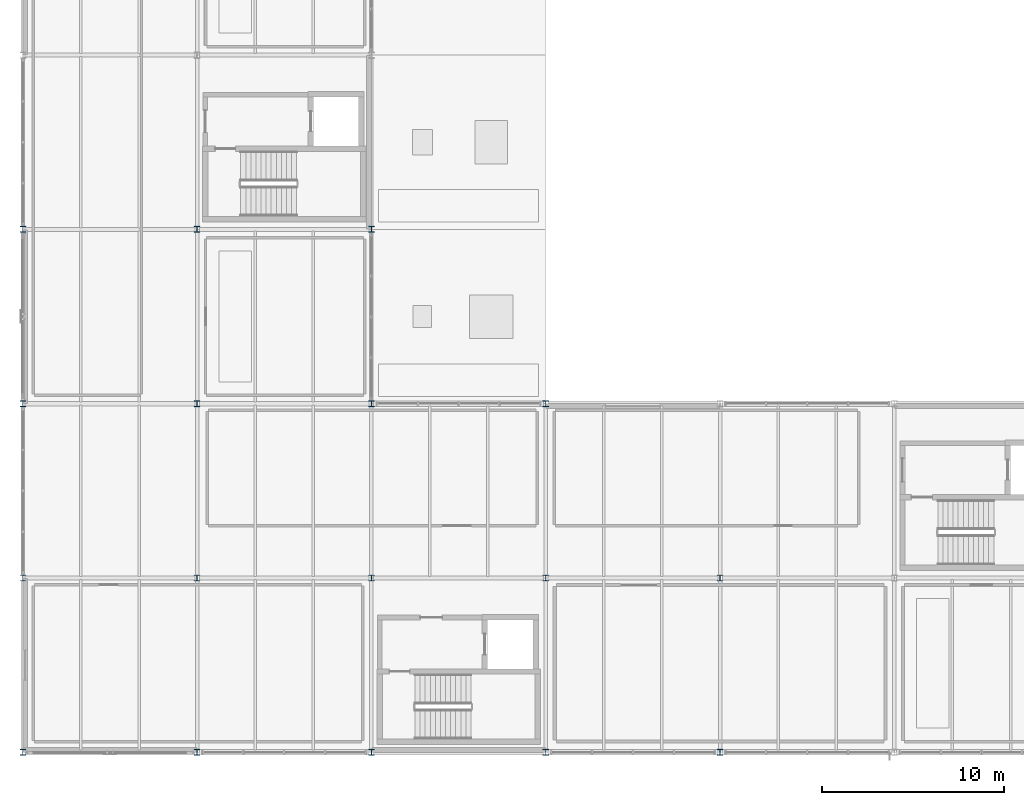
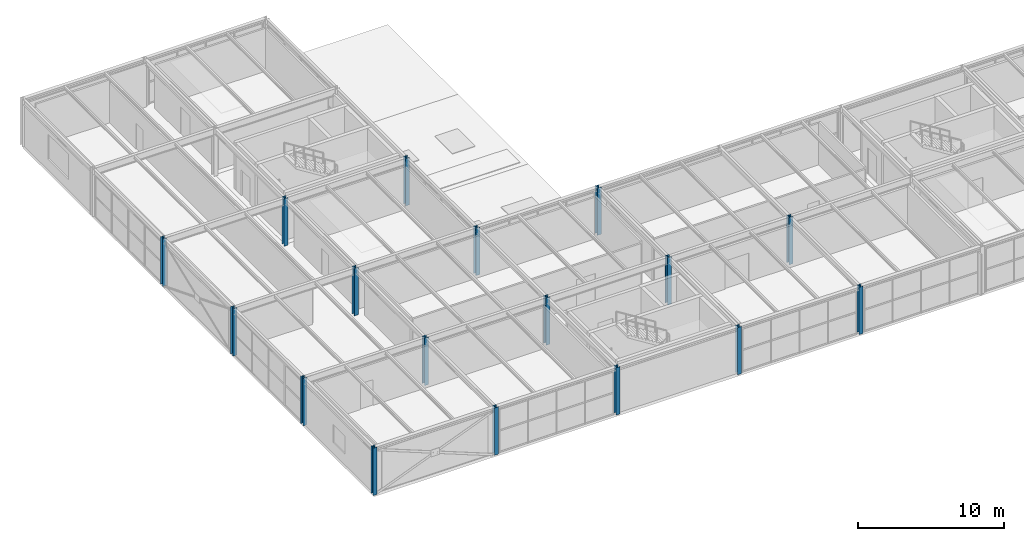
# One storey, part 1 of 50: 17 columns.
"""IFC4 building model written with IfcOpenShell, lengths in metres."""

from ifc_helpers import new_model, si_unit, direction, frame, origin, origin_2d, place, context, subcontext, project, spatial, i_section, extrude, material, material_profile, profile_set, type_object, element, save


model = new_model("IFC4")

# Units and contexts
model_context = context("Model", 3, precision=1e-05, world=origin(), true_north=direction((0.0, 1.0)))
body_context = subcontext(model_context, "Body", "Model", "MODEL_VIEW")
ifc_project = project(units=[si_unit("LENGTHUNIT", "METRE"), si_unit("AREAUNIT", "SQUARE_METRE"), si_unit("VOLUMEUNIT", "CUBIC_METRE"), si_unit("PLANEANGLEUNIT", "RADIAN"), si_unit("MASSUNIT", "GRAM", prefix="KILO")], contexts=[model_context])

# Site, building, storey
site_placement = place(None, origin())
site = spatial("IfcSite", under=ifc_project, at=site_placement, CompositionType="ELEMENT")
building_placement = place(site_placement, origin())
building = spatial("IfcBuilding", under=site, at=building_placement, Name="Coralgate Yard Interchange", CompositionType="ELEMENT")
storey_placement = place(building_placement, frame((0.0, 0.0, 14.699951171875)))
storey = spatial("IfcBuildingStorey", under=building, at=storey_placement, Name="L03", CompositionType="ELEMENT", Elevation=14.699951171875)

# Columns
ifc_material = material(Name="Structural steel S355J2", Category="steel")
ifc_material_profile = material_profile(ifc_material, i_section(OverallWidth=0.311279296875, OverallDepth=0.3271484375, WebThickness=0.015869140625, FlangeThickness=0.02490234375, FilletRadius=0.01513671875, at=origin_2d()), Name="UC 305x305x158")
ifc_profile_set = profile_set([ifc_material_profile], Name="Structural steel S355J2")
column_type = type_object("IfcColumnType", Name="COL-SC-5", PredefinedType="COLUMN", material=ifc_profile_set)
for number, where, z_axis, x_axis, name in (
    (1, (0.0, 0.0, 0.0), (0.0, 0.0, 1.0), (1.0, 0.0, 0.0), "L03 structural column 0-0"),
    (2, (0.0, 9.60009765625, 0.0), (0.0, 0.0, 1.0), (1.0, 0.0, 0.0), "L03 structural column 0-1"),
    (3, (0.0, 19.199951171875, 0.0), (0.0, 0.0, 1.0), (1.0, 0.0, 0.0), "L03 structural column 0-2"),
    (4, (0.0, 28.800048828125, 0.0), (0.0, 0.0, 1.0), (1.0, 0.0, 0.0), "L03 structural column 0-3"),
    (5, (9.60009765625, 0.0, 0.0), (0.0, 0.0, 1.0), (1.0, 0.0, 0.0), "L03 structural column 1-0"),
    (6, (9.60009765625, 9.60009765625, 0.0), (0.0, 0.0, 1.0), (1.0, 0.0, 0.0), "L03 structural column 1-1"),
    (7, (9.60009765625, 19.199951171875, 0.0), (0.0, 0.0, 1.0), (1.0, 0.0, 0.0), "L03 structural column 1-2"),
    (8, (9.60009765625, 28.800048828125, 0.0), (0.0, 0.0, 1.0), (1.0, 0.0, 0.0), "L03 structural column 1-3"),
    (9, (19.199951171875, 0.0, 0.0), (0.0, 0.0, 1.0), (1.0, 0.0, 0.0), "L03 structural column 2-0"),
    (10, (19.199951171875, 9.60009765625, 0.0), (0.0, 0.0, 1.0), (1.0, 0.0, 0.0), "L03 structural column 2-1"),
    (11, (19.199951171875, 19.199951171875, 0.0), (0.0, 0.0, 1.0), (1.0, 0.0, 0.0), "L03 structural column 2-2"),
    (12, (19.199951171875, 28.800048828125, 0.0), (0.0, 0.0, 1.0), (1.0, 0.0, 0.0), "L03 structural column 2-3"),
    (13, (28.800048828125, 0.0, 0.0), (0.0, 0.0, 1.0), (1.0, 0.0, 0.0), "L03 structural column 3-0"),
    (14, (28.800048828125, 9.60009765625, 0.0), (0.0, 0.0, 1.0), (1.0, 0.0, 0.0), "L03 structural column 3-1"),
    (15, (28.800048828125, 19.199951171875, 0.0), (0.0, 0.0, 1.0), (1.0, 0.0, 0.0), "L03 structural column 3-2"),
    (16, (38.39990234375, 0.0, 0.0), (0.0, 0.0, 1.0), (1.0, 0.0, 0.0), "L03 structural column 4-0"),
    (17, (38.39990234375, 9.60009765625, 0.0), (0.0, 0.0, 1.0), (1.0, 0.0, 0.0), "L03 structural column 4-1"),
):
    element("IfcColumn", number, at=place(storey_placement, frame(where, z_axis=z_axis, x_axis=x_axis)), inside=storey, type_object=column_type, Name=name, PredefinedType="COLUMN", context=body_context, shape_type="SweptSolid", body=[
        extrude(i_section(OverallWidth=0.311279296875, OverallDepth=0.3271484375, WebThickness=0.015869140625, FlangeThickness=0.02490234375, FilletRadius=0.01513671875, at=origin_2d()), origin(), (0.0, 0.0, 1.0), 3.949951171875),
    ])

save(model, "model.ifc")
